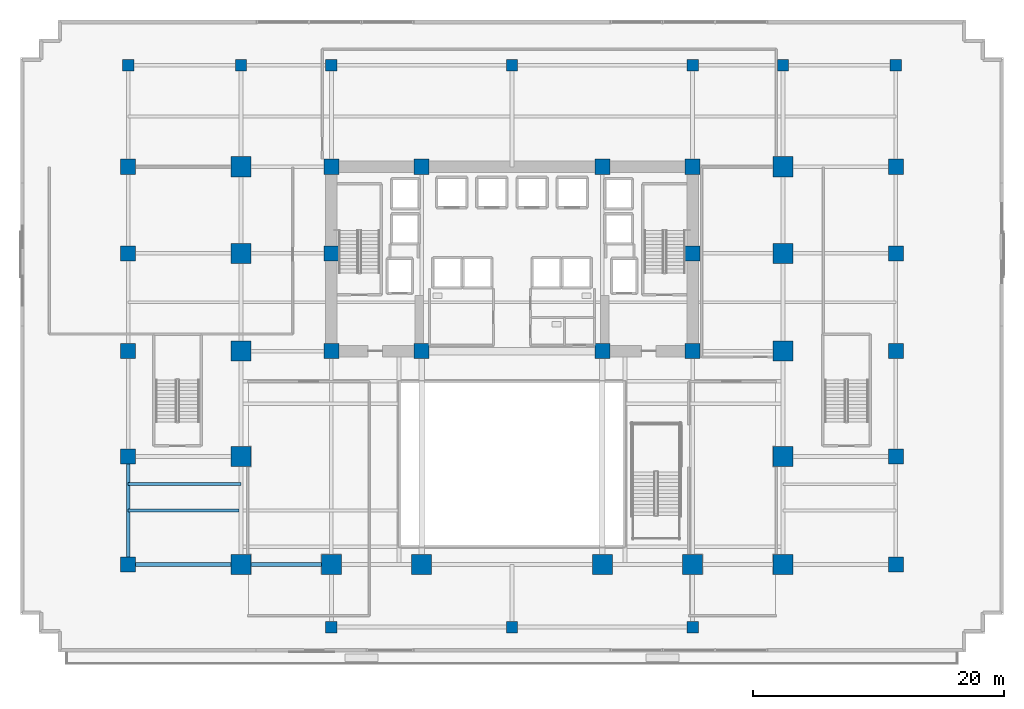
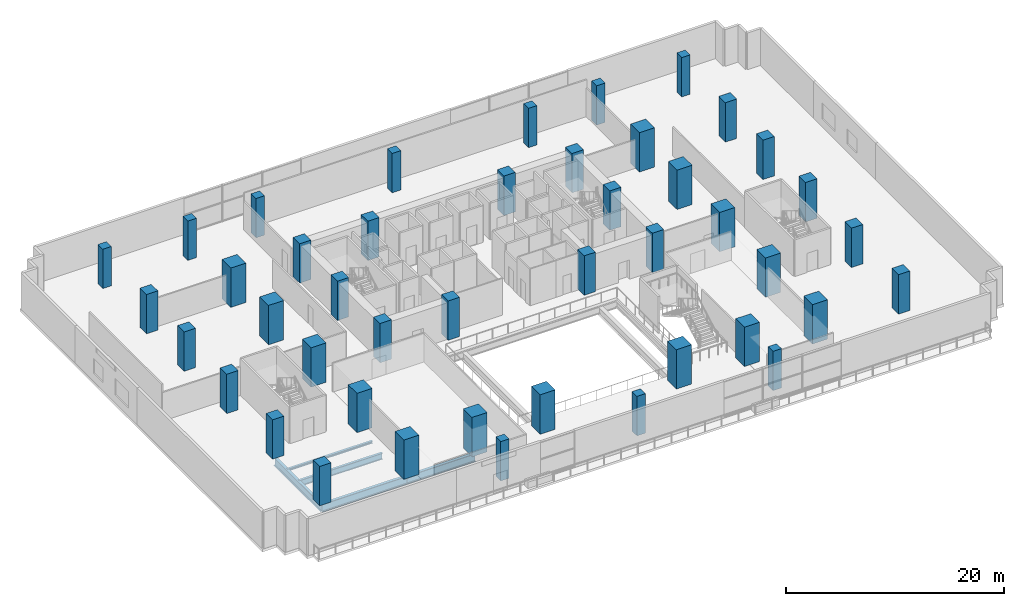
# One storey, part 1 of 21: 44 columns, 5 beams.
"""IFC4 building model written with IfcOpenShell, lengths in metres."""

from ifc_helpers import new_model, si_unit, direction, frame, origin, origin_2d, place, context, subcontext, project, spatial, rectangle, i_section, extrude, material, material_profile, profile_set, type_object, element, save


model = new_model("IFC4")

# Units and contexts
model_context = context("Model", 3, precision=1e-05, world=origin(), true_north=direction((0.0, 1.0)))
body_context = subcontext(model_context, "Body", "Model", "MODEL_VIEW")
ifc_project = project(units=[si_unit("LENGTHUNIT", "METRE"), si_unit("AREAUNIT", "SQUARE_METRE"), si_unit("VOLUMEUNIT", "CUBIC_METRE"), si_unit("PLANEANGLEUNIT", "RADIAN"), si_unit("MASSUNIT", "GRAM", prefix="KILO")], contexts=[model_context])

# Site, building, storey
site_placement = place(None, origin())
site = spatial("IfcSite", under=ifc_project, at=site_placement, CompositionType="ELEMENT")
building_placement = place(site_placement, origin())
building = spatial("IfcBuilding", under=site, at=building_placement, Name="Zarnakvel Exchange Tower", CompositionType="ELEMENT")
storey_placement = place(building_placement, frame((0.0, 0.0, 5.0)))
storey = spatial("IfcBuildingStorey", under=building, at=storey_placement, Name="L01", CompositionType="ELEMENT", Elevation=5.0)

# Columns
ifc_material_1 = material(Name="Concrete C80/95", Category="concrete")
ifc_material_profile_1 = material_profile(ifc_material_1, rectangle(XDim=1.199951171875, YDim=1.199951171875, at=origin_2d()))
ifc_profile_set_1 = profile_set([ifc_material_profile_1], Name="Concrete C80/95")
column_type_1 = type_object("IfcColumnType", Name="CC-01", PredefinedType="COLUMN", material=ifc_profile_set_1)
for number, where, z_axis, x_axis, name in (
    (1, (-14.39990234375, -1.199951171875, 0.0), (0.0, 0.0, 1.0), (1.0, 0.0, 0.0), "L01 Column C-4D (CC-01)"),
    (2, (-7.199951171875, -1.199951171875, 0.0), (0.0, 0.0, 1.0), (1.0, 0.0, 0.0), "L01 Column C-5D (CC-01)"),
    (3, (7.199951171875, -1.199951171875, 0.0), (0.0, 0.0, 1.0), (1.0, 0.0, 0.0), "L01 Column C-8D (CC-01)"),
    (4, (14.39990234375, -1.199951171875, 0.0), (0.0, 0.0, 1.0), (1.0, 0.0, 0.0), "L01 Column C-9D (CC-01)"),
    (5, (-14.39990234375, 6.60009765625, 0.0), (0.0, 0.0, 1.0), (1.0, 0.0, 0.0), "L01 Column C-4E (CC-01)"),
    (6, (14.39990234375, 6.60009765625, 0.0), (0.0, 0.0, 1.0), (1.0, 0.0, 0.0), "L01 Column C-9E (CC-01)"),
    (7, (-14.39990234375, 13.5, 0.0), (0.0, 0.0, 1.0), (1.0, 0.0, 0.0), "L01 Column C-4F (CC-01)"),
    (8, (-7.199951171875, 13.5, 0.0), (0.0, 0.0, 1.0), (1.0, 0.0, 0.0), "L01 Column C-5F (CC-01)"),
    (9, (7.199951171875, 13.5, 0.0), (0.0, 0.0, 1.0), (1.0, 0.0, 0.0), "L01 Column C-8F (CC-01)"),
    (10, (14.39990234375, 13.5, 0.0), (0.0, 0.0, 1.0), (1.0, 0.0, 0.0), "L01 Column C-9F (CC-01)"),
):
    element("IfcColumn", number, at=place(storey_placement, frame(where, z_axis=z_axis, x_axis=x_axis)), inside=storey, type_object=column_type_1, Name=name, PredefinedType="COLUMN", context=body_context, shape_type="SweptSolid", body=[
        extrude(rectangle(XDim=1.199951171875, YDim=1.199951171875, at=origin_2d()), origin(), (0.0, 0.0, 1.0), 4.39990234375),
    ])
ifc_material_profile_2 = material_profile(ifc_material_1, rectangle(XDim=1.60009765625, YDim=1.60009765625, at=origin_2d()))
ifc_profile_set_2 = profile_set([ifc_material_profile_2], Name="Concrete C80/95")
column_type_2 = type_object("IfcColumnType", Name="MC-01", PredefinedType="COLUMN", material=ifc_profile_set_2)
for number, where, z_axis, x_axis, name in (
    (11, (-21.60009765625, -18.199951171875, 0.0), (0.0, 0.0, 1.0), (1.0, 0.0, 0.0), "L01 Column M-3B (MC-01)"),
    (12, (-14.39990234375, -18.199951171875, 0.0), (0.0, 0.0, 1.0), (1.0, 0.0, 0.0), "L01 Column M-4B (MC-01)"),
    (13, (-7.199951171875, -18.199951171875, 0.0), (0.0, 0.0, 1.0), (1.0, 0.0, 0.0), "L01 Column M-5B (MC-01)"),
    (14, (7.199951171875, -18.199951171875, 0.0), (0.0, 0.0, 1.0), (1.0, 0.0, 0.0), "L01 Column M-8B (MC-01)"),
    (15, (14.39990234375, -18.199951171875, 0.0), (0.0, 0.0, 1.0), (1.0, 0.0, 0.0), "L01 Column M-9B (MC-01)"),
    (16, (21.60009765625, -18.199951171875, 0.0), (0.0, 0.0, 1.0), (1.0, 0.0, 0.0), "L01 Column M-10B (MC-01)"),
    (17, (-21.60009765625, -9.60009765625, 0.0), (0.0, 0.0, 1.0), (1.0, 0.0, 0.0), "L01 Column M-3C (MC-01)"),
    (18, (21.60009765625, -9.60009765625, 0.0), (0.0, 0.0, 1.0), (1.0, 0.0, 0.0), "L01 Column M-10C (MC-01)"),
    (19, (-21.60009765625, -1.199951171875, 0.0), (0.0, 0.0, 1.0), (1.0, 0.0, 0.0), "L01 Column M-3D (MC-01)"),
    (20, (21.60009765625, -1.199951171875, 0.0), (0.0, 0.0, 1.0), (1.0, 0.0, 0.0), "L01 Column M-10D (MC-01)"),
    (21, (-21.60009765625, 6.60009765625, 0.0), (0.0, 0.0, 1.0), (1.0, 0.0, 0.0), "L01 Column M-3E (MC-01)"),
    (22, (21.60009765625, 6.60009765625, 0.0), (0.0, 0.0, 1.0), (1.0, 0.0, 0.0), "L01 Column M-10E (MC-01)"),
    (23, (-21.60009765625, 13.5, 0.0), (0.0, 0.0, 1.0), (1.0, 0.0, 0.0), "L01 Column M-3F (MC-01)"),
    (24, (21.60009765625, 13.5, 0.0), (0.0, 0.0, 1.0), (1.0, 0.0, 0.0), "L01 Column M-10F (MC-01)"),
):
    element("IfcColumn", number, at=place(storey_placement, frame(where, z_axis=z_axis, x_axis=x_axis)), inside=storey, type_object=column_type_2, Name=name, PredefinedType="COLUMN", context=body_context, shape_type="SweptSolid", body=[
        extrude(rectangle(XDim=1.60009765625, YDim=1.60009765625, at=origin_2d()), origin(), (0.0, 0.0, 1.0), 4.39990234375),
    ])
ifc_material_profile_3 = material_profile(ifc_material_1, rectangle(XDim=1.199951171875, YDim=1.199951171875, at=origin_2d()))
ifc_profile_set_3 = profile_set([ifc_material_profile_3], Name="Concrete C80/95")
column_type_3 = type_object("IfcColumnType", Name="MC-03", PredefinedType="COLUMN", material=ifc_profile_set_3)
for number, where, z_axis, x_axis, name in (
    (25, (-30.60009765625, -18.199951171875, 0.0), (0.0, 0.0, 1.0), (1.0, 0.0, 0.0), "L01 Column W-2B (MC-03)"),
    (26, (-30.60009765625, -9.60009765625, 0.0), (0.0, 0.0, 1.0), (1.0, 0.0, 0.0), "L01 Column W-2C (MC-03)"),
    (27, (-30.60009765625, -1.199951171875, 0.0), (0.0, 0.0, 1.0), (1.0, 0.0, 0.0), "L01 Column W-2D (MC-03)"),
    (28, (-30.60009765625, 6.60009765625, 0.0), (0.0, 0.0, 1.0), (1.0, 0.0, 0.0), "L01 Column W-2E (MC-03)"),
    (29, (-30.60009765625, 13.5, 0.0), (0.0, 0.0, 1.0), (1.0, 0.0, 0.0), "L01 Column W-2F (MC-03)"),
    (30, (30.60009765625, -18.199951171875, 0.0), (0.0, 0.0, 1.0), (1.0, 0.0, 0.0), "L01 Column W-11B (MC-03)"),
    (31, (30.60009765625, -9.60009765625, 0.0), (0.0, 0.0, 1.0), (1.0, 0.0, 0.0), "L01 Column W-11C (MC-03)"),
    (32, (30.60009765625, -1.199951171875, 0.0), (0.0, 0.0, 1.0), (1.0, 0.0, 0.0), "L01 Column W-11D (MC-03)"),
    (33, (30.60009765625, 6.60009765625, 0.0), (0.0, 0.0, 1.0), (1.0, 0.0, 0.0), "L01 Column W-11E (MC-03)"),
    (34, (30.60009765625, 13.5, 0.0), (0.0, 0.0, 1.0), (1.0, 0.0, 0.0), "L01 Column W-11F (MC-03)"),
):
    element("IfcColumn", number, at=place(storey_placement, frame(where, z_axis=z_axis, x_axis=x_axis)), inside=storey, type_object=column_type_3, Name=name, PredefinedType="COLUMN", context=body_context, shape_type="SweptSolid", body=[
        extrude(rectangle(XDim=1.199951171875, YDim=1.199951171875, at=origin_2d()), origin(), (0.0, 0.0, 1.0), 4.39990234375),
    ])
ifc_material_2 = material(Name="Concrete C50/60", Category="concrete")
ifc_material_profile_4 = material_profile(ifc_material_2, rectangle(XDim=0.89990234375, YDim=0.89990234375, at=origin_2d()))
ifc_profile_set_4 = profile_set([ifc_material_profile_4], Name="Concrete C50/60")
column_type_4 = type_object("IfcColumnType", Name="MC-04", PredefinedType="COLUMN", material=ifc_profile_set_4)
for number, where, z_axis, x_axis, name in (
    (35, (-30.60009765625, 21.60009765625, 0.0), (0.0, 0.0, 1.0), (1.0, 0.0, 0.0), "L01 Column P-2G (MC-04)"),
    (36, (30.60009765625, 21.60009765625, 0.0), (0.0, 0.0, 1.0), (1.0, 0.0, 0.0), "L01 Column P-11G (MC-04)"),
    (37, (-21.60009765625, 21.60009765625, 0.0), (0.0, 0.0, 1.0), (1.0, 0.0, 0.0), "L01 Column P-3G (MC-04)"),
    (38, (21.60009765625, 21.60009765625, 0.0), (0.0, 0.0, 1.0), (1.0, 0.0, 0.0), "L01 Column P-10G (MC-04)"),
    (39, (-14.39990234375, -23.199951171875, 0.0), (0.0, 0.0, 1.0), (1.0, 0.0, 0.0), "L01 Column P-4A (MC-04)"),
    (40, (0.0, -23.199951171875, 0.0), (0.0, 0.0, 1.0), (1.0, 0.0, 0.0), "L01 Column P-65A (MC-04)"),
    (41, (14.39990234375, -23.199951171875, 0.0), (0.0, 0.0, 1.0), (1.0, 0.0, 0.0), "L01 Column P-9A (MC-04)"),
    (42, (-14.39990234375, 21.60009765625, 0.0), (0.0, 0.0, 1.0), (1.0, 0.0, 0.0), "L01 Column P-4G (MC-04)"),
    (43, (0.0, 21.60009765625, 0.0), (0.0, 0.0, 1.0), (1.0, 0.0, 0.0), "L01 Column P-65G (MC-04)"),
    (44, (14.39990234375, 21.60009765625, 0.0), (0.0, 0.0, 1.0), (1.0, 0.0, 0.0), "L01 Column P-9G (MC-04)"),
):
    element("IfcColumn", number, at=place(storey_placement, frame(where, z_axis=z_axis, x_axis=x_axis)), inside=storey, type_object=column_type_4, Name=name, PredefinedType="COLUMN", context=body_context, shape_type="SweptSolid", body=[
        extrude(rectangle(XDim=0.89990234375, YDim=0.89990234375, at=origin_2d()), origin(), (0.0, 0.0, 1.0), 4.39990234375),
    ])

# Beams
ifc_material_3 = material(Name="Steel S355", Category="steel")
ifc_material_profile_5 = material_profile(ifc_material_3, i_section(OverallWidth=0.255859375, OverallDepth=0.69287109375, WebThickness=0.014404296875, FlangeThickness=0.023681640625, FilletRadius=0.01513671875, at=origin_2d()))
ifc_profile_set_5 = profile_set([ifc_material_profile_5], Name="Steel S355")
beam_type_1 = type_object("IfcBeamType", Name="B-01", PredefinedType="JOIST", material=ifc_profile_set_5)
beam_1_placement = place(storey_placement, frame((-30.60009765625, -13.89990234375, -0.646484375), z_axis=(1.0, 0.0, 0.0), x_axis=(0.0, 1.0, 0.0)))
element("IfcBeam", 45, at=beam_1_placement, inside=storey, type_object=beam_type_1, Name="L01 Podium Wing Secondary Joist West", PredefinedType="JOIST", context=body_context, shape_type="SweptSolid", body=[
    extrude(i_section(OverallWidth=0.255859375, OverallDepth=0.69287109375, WebThickness=0.014404296875, FlangeThickness=0.023681640625, FilletRadius=0.01513671875, at=origin_2d()), origin(), (0.0, 0.0, 1.0), 8.85009765625),
])
ifc_material_profile_6 = material_profile(ifc_material_3, i_section(OverallWidth=0.300048828125, OverallDepth=0.89990234375, WebThickness=0.0185546875, FlangeThickness=0.034912109375, FilletRadius=0.030029296875, at=origin_2d()))
ifc_profile_set_6 = profile_set([ifc_material_profile_6], Name="Steel S355")
beam_type_2 = type_object("IfcBeamType", Name="G-01", PredefinedType="BEAM", material=ifc_profile_set_6)
beam_2_placement = place(storey_placement, frame((-30.60009765625, -18.199951171875, -0.75), z_axis=(1.0, 0.0, 0.0), x_axis=(0.0, 1.0, 0.0)))
element("IfcBeam", 46, at=beam_2_placement, inside=storey, type_object=beam_type_2, Name="L01 Primary E-W Girder Y=-18.2", PredefinedType="BEAM", context=body_context, shape_type="SweptSolid", body=[
    extrude(i_section(OverallWidth=0.300048828125, OverallDepth=0.89990234375, WebThickness=0.0185546875, FlangeThickness=0.034912109375, FilletRadius=0.030029296875, at=origin_2d()), origin(), (0.0, 0.0, 1.0), 9.0),
])
beam_3_placement = place(storey_placement, frame((-21.60009765625, -18.199951171875, -0.75), z_axis=(1.0, 0.0, 0.0), x_axis=(0.0, 1.0, 0.0)))
element("IfcBeam", 47, at=beam_3_placement, inside=storey, type_object=beam_type_2, Name="L01 Primary E-W Girder Y=-18.2", PredefinedType="BEAM", context=body_context, shape_type="SweptSolid", body=[
    extrude(i_section(OverallWidth=0.300048828125, OverallDepth=0.89990234375, WebThickness=0.0185546875, FlangeThickness=0.034912109375, FilletRadius=0.030029296875, at=origin_2d()), origin(), (0.0, 0.0, 1.0), 7.2001953125),
])
beam_4_placement = place(storey_placement, frame((-30.60009765625, -18.199951171875, -0.75), z_axis=(0.0, 1.0, 0.0), x_axis=(-1.0, 0.0, 0.0)))
element("IfcBeam", 48, at=beam_4_placement, inside=storey, type_object=beam_type_2, Name="L01 Primary N-S Girder X=-30.6", PredefinedType="BEAM", context=body_context, shape_type="SweptSolid", body=[
    extrude(i_section(OverallWidth=0.300048828125, OverallDepth=0.89990234375, WebThickness=0.0185546875, FlangeThickness=0.034912109375, FilletRadius=0.030029296875, at=origin_2d()), origin(), (0.0, 0.0, 1.0), 8.599853515625),
])
ifc_material_profile_7 = material_profile(ifc_material_3, i_section(OverallWidth=0.239990234375, OverallDepth=0.239990234375, WebThickness=0.010009765625, FlangeThickness=0.01708984375, FilletRadius=0.02099609375, at=origin_2d()))
ifc_profile_set_7 = profile_set([ifc_material_profile_7], Name="Steel S355")
beam_type_3 = type_object("IfcBeamType", Name="LN-01", PredefinedType="LINTEL", material=ifc_profile_set_7)
beam_5_placement = place(storey_placement, frame((-30.60009765625, -11.800048828125, -0.419921875), z_axis=(1.0, 0.0, 0.0), x_axis=(0.0, 1.0, 0.0)))
element("IfcBeam", 49, at=beam_5_placement, inside=storey, type_object=beam_type_3, Name="L01 Concourse Gallery Opening Lintel West", PredefinedType="LINTEL", context=body_context, shape_type="SweptSolid", body=[
    extrude(i_section(OverallWidth=0.239990234375, OverallDepth=0.239990234375, WebThickness=0.010009765625, FlangeThickness=0.01708984375, FilletRadius=0.02099609375, at=origin_2d()), origin(), (0.0, 0.0, 1.0), 9.0),
])

save(model, "model.ifc")
